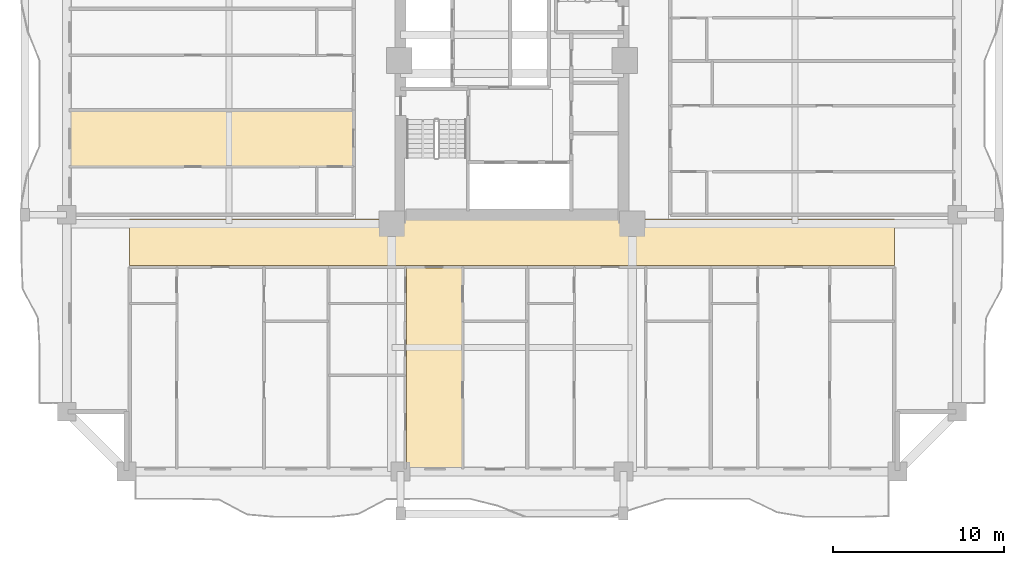
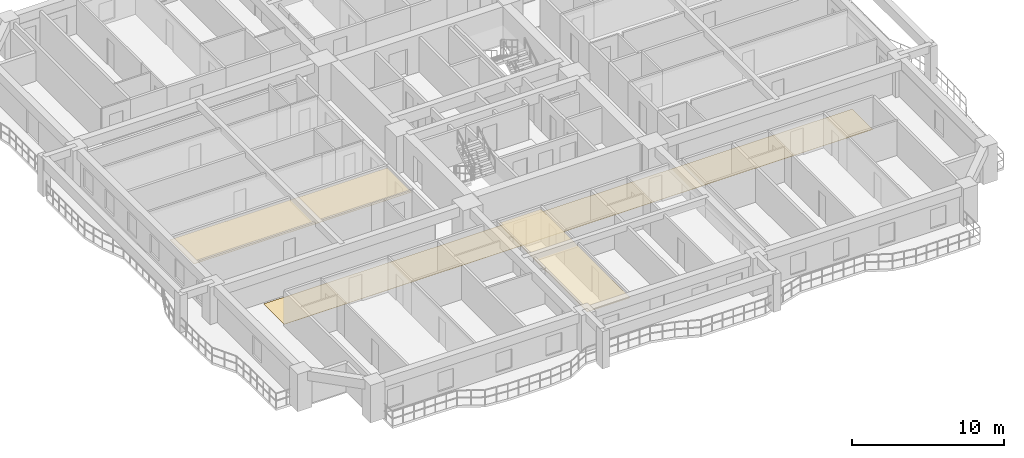
# One storey, part 12 of 16: 3 coverings.
"""IFC4 building model written with IfcOpenShell, lengths in metres."""

from ifc_helpers import new_model, si_unit, direction, frame, origin, place, context, subcontext, project, spatial, polyline, outline, extrude, material, layer, layer_set, type_object, element, save


model = new_model("IFC4")

# Units and contexts
model_context = context("Model", 3, precision=1e-05, world=origin(), true_north=direction((0.0, 1.0)))
body_context = subcontext(model_context, "Body", "Model", "MODEL_VIEW")
ifc_project = project(units=[si_unit("LENGTHUNIT", "METRE"), si_unit("AREAUNIT", "SQUARE_METRE"), si_unit("VOLUMEUNIT", "CUBIC_METRE"), si_unit("PLANEANGLEUNIT", "RADIAN"), si_unit("MASSUNIT", "GRAM", prefix="KILO")], contexts=[model_context])

# Site, building, storey
site_placement = place(None, origin())
site = spatial("IfcSite", under=ifc_project, at=site_placement, CompositionType="ELEMENT")
building_placement = place(site_placement, origin())
building = spatial("IfcBuilding", under=site, at=building_placement, Name="Saelheon Loggia Tower", CompositionType="ELEMENT")
storey_placement = place(building_placement, frame((0.0, 0.0, 31.39990234375)))
storey = spatial("IfcBuildingStorey", under=building, at=storey_placement, Name="L09", CompositionType="ELEMENT", Elevation=31.39990234375)

# Coverings
ifc_material_1 = material(Name="Mineral-Fibre Acoustic Ceiling Board", Category="gypsum")
ifc_layer_1 = layer(ifc_material_1, 0.02490234375)
ifc_layer_set_1 = layer_set([ifc_layer_1], Name="Mineral-Fibre Acoustic Ceiling Board")
covering_type_1 = type_object("IfcCoveringType", Name="Cov_Ceiling_Acoustic", PredefinedType="CEILING", material=ifc_layer_set_1)
covering_1_placement = place(storey_placement, frame((0.0, 0.0, 2.53515625)))
element("IfcCovering", 1, at=covering_1_placement, inside=storey, type_object=covering_type_1, Name="L09 Acoustic Suspended Ceiling", PredefinedType="CEILING", context=body_context, shape_type="SweptSolid", body=[
    extrude(outline(polyline([(31.830078125, 3.199951171875), (35.076904296875, 3.199951171875), (35.076904296875, 14.89990234375), (31.830078125, 14.89990234375), (31.830078125, 3.199951171875)])), origin(), (0.0, 0.0, 1.0), 0.02490234375),
])
covering_2_placement = place(storey_placement, frame((0.0, 0.0, 2.53515625)))
element("IfcCovering", 2, at=covering_2_placement, inside=storey, type_object=covering_type_1, Name="L09 Acoustic Suspended Ceiling", PredefinedType="CEILING", context=body_context, shape_type="SweptSolid", body=[
    extrude(outline(polyline([(12.199951171875, 20.857421875), (28.699951171875, 20.857421875), (28.699951171875, 24.052978515625), (12.199951171875, 24.052978515625), (12.199951171875, 20.857421875)])), origin(), (0.0, 0.0, 1.0), 0.02490234375),
])
ifc_material_2 = material(Name="Vitrified Porcelain Floor Tile", Category="ceramic")
ifc_layer_2 = layer(ifc_material_2, 0.02001953125)
ifc_layer_set_2 = layer_set([ifc_layer_2], Name="Vitrified Porcelain Floor Tile")
covering_type_2 = type_object("IfcCoveringType", Name="Cov_Floor_Porcelain", PredefinedType="FLOORING", material=ifc_layer_set_2)
covering_3_placement = place(storey_placement, origin())
element("IfcCovering", 3, at=covering_3_placement, inside=storey, type_object=covering_type_2, Name="L09 Corridor Porcelain Flooring", PredefinedType="FLOORING", context=body_context, shape_type="SweptSolid", body=[
    extrude(outline(polyline([(15.679931640625, 15.050048828125), (60.320068359375, 15.050048828125), (60.320068359375, 17.75), (15.679931640625, 17.75), (15.679931640625, 15.050048828125)])), origin(), (0.0, 0.0, 1.0), 0.02001953125),
])

save(model, "model.ifc")
